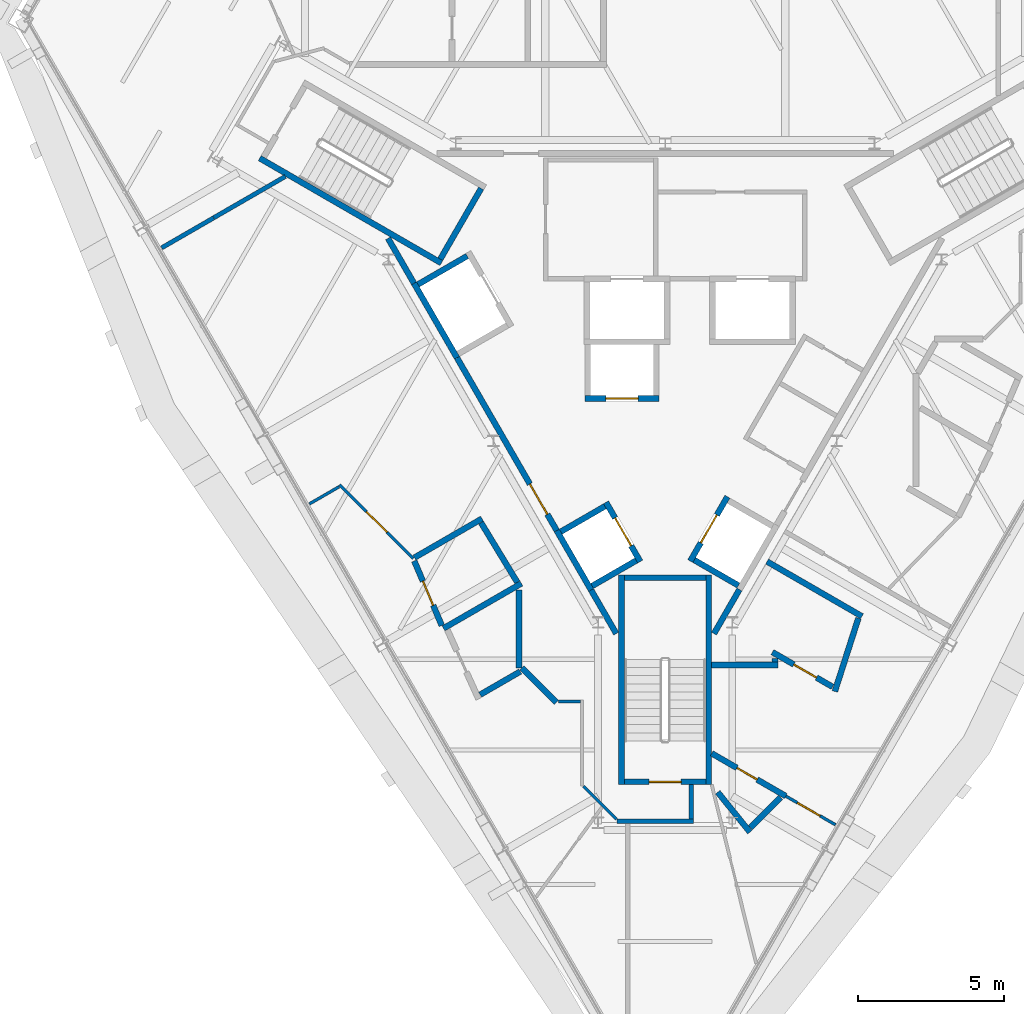
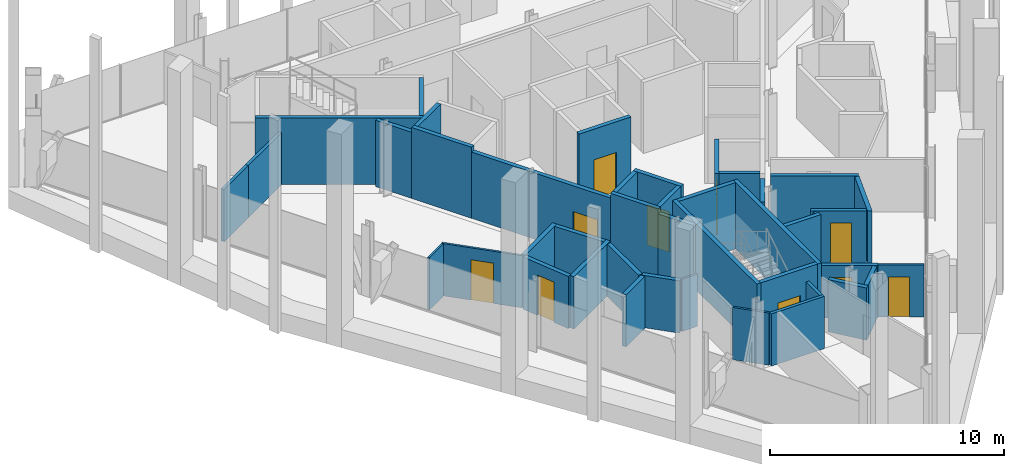
# One storey, part 8 of 12: 43 walls, 10 doors, 10 openings.
"""IFC4 building model written with IfcOpenShell, lengths in metres."""

from ifc_helpers import new_model, si_unit, direction, frame, frame_2d, origin, place, context, subcontext, project, spatial, rectangle, extrude, material, layer, layer_set, type_object, element, fill, save


model = new_model("IFC4")

# Units and contexts
model_context = context("Model", 3, precision=1e-05, world=origin(), true_north=direction((0.0, 1.0)))
body_context = subcontext(model_context, "Body", "Model", "MODEL_VIEW")
ifc_project = project(units=[si_unit("LENGTHUNIT", "METRE"), si_unit("AREAUNIT", "SQUARE_METRE"), si_unit("VOLUMEUNIT", "CUBIC_METRE"), si_unit("PLANEANGLEUNIT", "RADIAN"), si_unit("MASSUNIT", "GRAM", prefix="KILO")], contexts=[model_context])

# Site, building, storey
site_placement = place(None, origin())
site = spatial("IfcSite", under=ifc_project, at=site_placement, CompositionType="ELEMENT")
building_placement = place(site_placement, origin())
building = spatial("IfcBuilding", under=site, at=building_placement, Name="Verrane Prism Tower", CompositionType="ELEMENT")
storey_placement = place(building_placement, frame((0.0, 0.0, 264.0)))
storey = spatial("IfcBuildingStorey", under=building, at=storey_placement, Name="L66", CompositionType="ELEMENT", Elevation=264.0)

# Wall
ifc_material_1 = material(Name="Gypsum board partition", Category="other")
ifc_layer_1 = layer(ifc_material_1, 0.199951171875)
ifc_layer_set_1 = layer_set([ifc_layer_1], Name="CW-200 core boundary wall 2 h")
wall_type_1 = type_object("IfcWallType", Name="CW-200 core boundary wall 2 h", PredefinedType="PARTITIONING", material=ifc_layer_set_1)
wall_1_placement = place(storey_placement, frame((-9.509033203125, 3.550537109375, 0.0), z_axis=(0.0, 0.0, 1.0), x_axis=(0.499999136801, -0.866025902152, 0.0)))
element("IfcWall", 1, at=wall_1_placement, inside=storey, type_object=wall_type_1, Name="Core boundary wall CW3-001", PredefinedType="PARTITIONING", context=body_context, shape_type="SweptSolid", body=[
    extrude(rectangle(XDim=1.7822265625, YDim=0.199951171875, at=frame_2d((0.89111328125, 0.0))), origin(), (0.0, 0.0, 1.0), 3.449951171875),
])

# Wall, opening, door
wall_2_placement = place(storey_placement, frame((-7.14111328125, -0.551025390625, 0.0), z_axis=(0.0, 0.0, 1.0), x_axis=(0.500001302854, -0.86602465158, 0.0)))
wall_2 = element("IfcWall", 2, at=wall_2_placement, inside=storey, type_object=wall_type_1, Name="Core boundary wall CW3-003", PredefinedType="PARTITIONING", context=body_context, shape_type="SweptSolid", body=[
    extrude(rectangle(XDim=6.84619140625, YDim=0.199951171875, at=frame_2d((3.423095703125, 0.0))), origin(), (0.0, 0.0, 1.0), 3.449951171875),
])
opening_1_placement = place(wall_2_placement, frame((5.0, 0.0, 0.0)))
opening_1 = element("IfcOpeningElement", 3, at=opening_1_placement, cuts=wall_2, Name="Opening D66510", PredefinedType="OPENING", context=body_context, shape_type="SweptSolid", body=[
    extrude(rectangle(XDim=1.199951171875, YDim=2.10009765625, at=frame_2d((0.60009765625, 1.050048828125))), frame((0.0, 0.10986328125, 0.0), z_axis=(0.0, -1.0, 0.0), x_axis=(1.0, 0.0, 0.0)), (0.0, 0.0, 1.0), 0.219970703125),
])
ifc_material_2 = material(Name="Timber veneered door leaf", Category="wood")
door_type_1 = type_object("IfcDoorType", Name="DR-1200x2100 FD60 single leaf lift lobby", OperationType="NOTDEFINED", PredefinedType="DOOR", material=ifc_material_2)
door_1_placement = place(opening_1_placement, origin())
door_1 = element("IfcDoor", 4, at=door_1_placement, inside=storey, type_object=door_type_1, Name="Lift lobby door D66510", OperationType="SINGLE_SWING_RIGHT", OverallHeight=2.10009765625, OverallWidth=1.199951171875, PredefinedType="DOOR", context=body_context, shape_type="SweptSolid", body=[
    extrude(rectangle(XDim=1.199951171875, YDim=2.10009765625, at=frame_2d((0.60009765625, 1.050048828125))), frame((0.0, 0.02490234375, 0.0), z_axis=(0.0, -1.0, 0.0), x_axis=(1.0, 0.0, 0.0)), (0.0, 0.0, 1.0), 0.050048828125),
])
fill(opening_1, door_1)

# Walls
wall_3_placement = place(storey_placement, frame((-2.541015625, -8.51904296875, 0.0), z_axis=(0.0, 0.0, 1.0), x_axis=(0.500016142392, -0.86601608377, 0.0)))
element("IfcWall", 5, at=wall_3_placement, inside=storey, type_object=wall_type_1, Name="Core boundary wall CW3-004", PredefinedType="PARTITIONING", context=body_context, shape_type="SweptSolid", body=[
    extrude(rectangle(XDim=1.72705078125, YDim=0.199951171875, at=frame_2d((0.863525390625, 0.0))), origin(), (0.0, 0.0, 1.0), 3.449951171875),
])
wall_4_placement = place(storey_placement, frame((1.677490234375, -10.0146484375, 0.0), z_axis=(0.0, 0.0, 1.0), x_axis=(0.49983532306, 0.866120459187, 0.0)))
element("IfcWall", 6, at=wall_4_placement, inside=storey, type_object=wall_type_1, Name="Core boundary wall CW3-005", PredefinedType="PARTITIONING", context=body_context, shape_type="SweptSolid", body=[
    extrude(rectangle(XDim=1.74755859375, YDim=0.199951171875, at=frame_2d((0.873779296875, 0.0))), origin(), (0.0, 0.0, 1.0), 3.449951171875),
])
ifc_material_3 = material(Name="Concrete C40/50", Category="concrete")
ifc_layer_2 = layer(ifc_material_3, 0.199951171875)
ifc_layer_set_2 = layer_set([ifc_layer_2], Name="CW-200 stair core wall concrete C40/50 3 h")
wall_type_2 = type_object("IfcWallType", Name="CW-200 stair core wall concrete C40/50 3 h", PredefinedType="PARTITIONING", material=ifc_layer_set_2)
wall_5_placement = place(storey_placement, frame((-7.67822265625, 2.700927734375, 0.0), z_axis=(0.0, 0.0, 1.0), x_axis=(-0.866018442252, 0.500012057535, 0.0)))
element("IfcWall", 7, at=wall_5_placement, inside=storey, type_object=wall_type_2, Name="Stair 2 enclosure wall", PredefinedType="PARTITIONING", context=body_context, shape_type="SweptSolid", body=[
    extrude(rectangle(XDim=7.199951171875, YDim=0.199951171875, at=frame_2d((3.60009765625, 0.0))), origin(), (0.0, 0.0, 1.0), 3.449951171875),
])
wall_6_placement = place(storey_placement, frame((-6.314697265625, 5.262451171875, 0.0), z_axis=(0.0, 0.0, 1.0), x_axis=(-0.500049511043, -0.865996816683, 0.0)))
element("IfcWall", 8, at=wall_6_placement, inside=storey, type_object=wall_type_2, Name="Stair 2 enclosure wall", PredefinedType="PARTITIONING", context=body_context, shape_type="SweptSolid", body=[
    extrude(rectangle(XDim=2.800048828125, YDim=0.199951171875, at=frame_2d((1.39990234375, 0.0))), origin(), (0.0, 0.0, 1.0), 3.449951171875),
])

# Wall, opening, door
wall_7_placement = place(storey_placement, frame((-1.39990234375, -15.10009765625, 0.0), z_axis=(0.0, 0.0, 1.0), x_axis=(1.0, 0.0, 0.0)))
wall_7 = element("IfcWall", 9, at=wall_7_placement, inside=storey, type_object=wall_type_2, Name="Stair 3 enclosure wall", PredefinedType="PARTITIONING", context=body_context, shape_type="SweptSolid", body=[
    extrude(rectangle(XDim=2.7998046875, YDim=0.199951171875, at=frame_2d((1.39990234375, 0.0))), origin(), (0.0, 0.0, 1.0), 3.449951171875),
])
opening_2_placement = place(wall_7_placement, frame((0.85009765625, 0.0, 0.0)))
opening_2 = element("IfcOpeningElement", 10, at=opening_2_placement, cuts=wall_7, Name="Opening D66502", PredefinedType="OPENING", context=body_context, shape_type="SweptSolid", body=[
    extrude(rectangle(XDim=1.10009765625, YDim=2.10009765625, at=frame_2d((0.550048828125, 1.050048828125))), frame((0.0, 0.10986328125, 0.0), z_axis=(0.0, -1.0, 0.0), x_axis=(1.0, 0.0, 0.0)), (0.0, 0.0, 1.0), 0.219970703125),
])
ifc_material_4 = material(Name="Timber veneered door leaf", Category="wood")
door_type_2 = type_object("IfcDoorType", Name="DR-1100x2100 FD90 single leaf stair", OperationType="NOTDEFINED", PredefinedType="DOOR", material=ifc_material_4)
door_2_placement = place(opening_2_placement, origin())
door_2 = element("IfcDoor", 11, at=door_2_placement, inside=storey, type_object=door_type_2, Name="Stair 3 door", OperationType="SINGLE_SWING_LEFT", OverallHeight=2.10009765625, OverallWidth=1.10009765625, PredefinedType="DOOR", context=body_context, shape_type="SweptSolid", body=[
    extrude(rectangle(XDim=1.10009765625, YDim=2.10009765625, at=frame_2d((0.550048828125, 1.050048828125))), frame((0.0, 0.02490234375, 0.0), z_axis=(0.0, -1.0, 0.0), x_axis=(1.0, 0.0, 0.0)), (0.0, 0.0, 1.0), 0.050048828125),
])
fill(opening_2, door_2)

# Walls
for number, where, z_axis, x_axis, name in (
    (12, (1.5, -8.0, 0.0), (0.0, 0.0, 1.0), (0.0, -1.0, 0.0), "Stair 3 enclosure wall"),
    (13, (-1.5, -8.0, 0.0), (0.0, 0.0, 1.0), (0.0, -1.0, 0.0), "Stair 3 enclosure wall"),
):
    element("IfcWall", number, at=place(storey_placement, frame(where, z_axis=z_axis, x_axis=x_axis)), inside=storey, type_object=wall_type_2, Name=name, PredefinedType="PARTITIONING", context=body_context, shape_type="SweptSolid", body=[
        extrude(rectangle(XDim=7.199951171875, YDim=0.199951171875, at=frame_2d((3.60009765625, 0.0))), origin(), (0.0, 0.0, 1.0), 3.449951171875),
    ])
wall_8_placement = place(storey_placement, frame((-1.39990234375, -8.10009765625, 0.0), z_axis=(0.0, 0.0, 1.0), x_axis=(1.0, 0.0, 0.0)))
element("IfcWall", 14, at=wall_8_placement, inside=storey, type_object=wall_type_2, Name="Stair 3 enclosure wall", PredefinedType="PARTITIONING", context=body_context, shape_type="SweptSolid", body=[
    extrude(rectangle(XDim=2.7998046875, YDim=0.199951171875, at=frame_2d((1.39990234375, 0.0))), origin(), (0.0, 0.0, 1.0), 3.449951171875),
])

# Wall, opening, door
ifc_material_5 = material(Name="Gypsum board shaft wall assembly", Category="other")
ifc_layer_3 = layer(ifc_material_5, 0.199951171875)
ifc_layer_set_3 = layer_set([ifc_layer_3], Name="HW-200 lift shaft wall 2 h")
wall_type_3 = type_object("IfcWallType", Name="HW-200 lift shaft wall 2 h", PredefinedType="PARTITIONING", material=ifc_layer_set_3)
wall_9_placement = place(storey_placement, frame((-2.7548828125, -1.949951171875, 0.0), z_axis=(0.0, 0.0, 1.0), x_axis=(1.0, 0.0, 0.0)))
wall_9 = element("IfcWall", 15, at=wall_9_placement, inside=storey, type_object=wall_type_3, Name="Lift shaft wall", PredefinedType="PARTITIONING", context=body_context, shape_type="SweptSolid", body=[
    extrude(rectangle(XDim=2.5498046875, YDim=0.199951171875, at=frame_2d((1.27490234375, 0.0))), origin(), (0.0, 0.0, 1.0), 3.699951171875),
])
opening_3_placement = place(wall_9_placement, frame((0.72509765625, 0.0, 0.0)))
opening_3 = element("IfcOpeningElement", 16, at=opening_3_placement, cuts=wall_9, Name="Opening D66504", PredefinedType="OPENING", context=body_context, shape_type="SweptSolid", body=[
    extrude(rectangle(XDim=1.10009765625, YDim=2.10009765625, at=frame_2d((0.550048828125, 1.050048828125))), frame((0.0, 0.10986328125, 0.0), z_axis=(0.0, -1.0, 0.0), x_axis=(1.0, 0.0, 0.0)), (0.0, 0.0, 1.0), 0.219970703125),
])
ifc_material_6 = material(Name="Stainless steel sliding landing door", Category="steel")
door_type_3 = type_object("IfcDoorType", Name="LD-1100x2100 lift landing door FD90 sliding", OperationType="NOTDEFINED", PredefinedType="DOOR", material=ifc_material_6)
door_3_placement = place(opening_3_placement, origin())
door_3 = element("IfcDoor", 17, at=door_3_placement, inside=storey, type_object=door_type_3, Name="Bank C lift 2 landing door", OperationType="SLIDING_TO_RIGHT", OverallHeight=2.10009765625, OverallWidth=1.10009765625, PredefinedType="DOOR", context=body_context, shape_type="SweptSolid", body=[
    extrude(rectangle(XDim=1.10009765625, YDim=2.10009765625, at=frame_2d((0.550048828125, 1.050048828125))), frame((0.0, 0.02490234375, 0.0), z_axis=(0.0, -1.0, 0.0), x_axis=(1.0, 0.0, 0.0)), (0.0, 0.0, 1.0), 0.050048828125),
])
fill(opening_3, door_3)

# Walls
for number, where, z_axis, x_axis, name in (
    (18, (-2.50537109375, -8.38037109375, 0.0), (0.0, 0.0, 1.0), (0.866002029911, 0.500040482552, 0.0), "Lift shaft wall"),
    (19, (-3.580322265625, -6.5185546875, 0.0), (0.0, 0.0, 1.0), (0.866002029911, 0.500040482552, 0.0), "Lift shaft wall"),
):
    element("IfcWall", number, at=place(storey_placement, frame(where, z_axis=z_axis, x_axis=x_axis)), inside=storey, type_object=wall_type_3, Name=name, PredefinedType="PARTITIONING", context=body_context, shape_type="SweptSolid", body=[
        extrude(rectangle(XDim=1.749755859375, YDim=0.199951171875, at=frame_2d((0.875, 0.0))), origin(), (0.0, 0.0, 1.0), 3.699951171875),
    ])
wall_10_placement = place(storey_placement, frame((-8.48046875, 1.968505859375, 0.0), z_axis=(0.0, 0.0, 1.0), x_axis=(0.866000020948, 0.500043961785, 0.0)))
element("IfcWall", 20, at=wall_10_placement, inside=storey, type_object=wall_type_3, Name="Lift shaft wall", PredefinedType="PARTITIONING", context=body_context, shape_type="SweptSolid", body=[
    extrude(rectangle(XDim=1.949951171875, YDim=0.199951171875, at=frame_2d((0.97509765625, 0.0))), origin(), (0.0, 0.0, 1.0), 3.699951171875),
])

# Wall, opening, door
wall_11_placement = place(storey_placement, frame((0.86328125, -7.524658203125, 0.0), z_axis=(0.0, 0.0, 1.0), x_axis=(0.499990435942, 0.866030925526, 0.0)))
wall_11 = element("IfcWall", 21, at=wall_11_placement, inside=storey, type_object=wall_type_3, Name="Lift shaft wall", PredefinedType="PARTITIONING", context=body_context, shape_type="SweptSolid", body=[
    extrude(rectangle(XDim=2.5498046875, YDim=0.199951171875, at=frame_2d((1.27490234375, 0.0))), origin(), (0.0, 0.0, 1.0), 3.699951171875),
])
opening_4_placement = place(wall_11_placement, frame((0.72509765625, 0.0, 0.0)))
opening_4 = element("IfcOpeningElement", 22, at=opening_4_placement, cuts=wall_11, Name="Opening D66505", PredefinedType="OPENING", context=body_context, shape_type="SweptSolid", body=[
    extrude(rectangle(XDim=1.10009765625, YDim=2.10009765625, at=frame_2d((0.550048828125, 1.050048828125))), frame((0.0, 0.10986328125, 0.0), z_axis=(0.0, -1.0, 0.0), x_axis=(1.0, 0.0, 0.0)), (0.0, 0.0, 1.0), 0.219970703125),
])
door_4_placement = place(opening_4_placement, origin())
door_4 = element("IfcDoor", 23, at=door_4_placement, inside=storey, type_object=door_type_3, Name="Bank C lift 3 landing door", OperationType="SLIDING_TO_LEFT", OverallHeight=2.10009765625, OverallWidth=1.10009765625, PredefinedType="DOOR", context=body_context, shape_type="SweptSolid", body=[
    extrude(rectangle(XDim=1.10009765625, YDim=2.10009765625, at=frame_2d((0.550048828125, 1.050048828125))), frame((0.0, 0.02490234375, 0.0), z_axis=(0.0, -1.0, 0.0), x_axis=(1.0, 0.0, 0.0)), (0.0, 0.0, 1.0), 0.050048828125),
])
fill(opening_4, door_4)

wall_12_placement = place(storey_placement, frame((-0.853271484375, -7.5419921875, 0.0), z_axis=(0.0, 0.0, 1.0), x_axis=(-0.500016218704, 0.866016039709, 0.0)))
wall_12 = element("IfcWall", 24, at=wall_12_placement, inside=storey, type_object=wall_type_3, Name="Lift shaft wall", PredefinedType="PARTITIONING", context=body_context, shape_type="SweptSolid", body=[
    extrude(rectangle(XDim=2.35009765625, YDim=0.199951171875, at=frame_2d((1.175048828125, 0.0))), origin(), (0.0, 0.0, 1.0), 3.699951171875),
])
opening_5_placement = place(wall_12_placement, frame((0.625, 0.0, 0.0)))
opening_5 = element("IfcOpeningElement", 25, at=opening_5_placement, cuts=wall_12, Name="Opening D66503", PredefinedType="OPENING", context=body_context, shape_type="SweptSolid", body=[
    extrude(rectangle(XDim=1.10009765625, YDim=2.10009765625, at=frame_2d((0.550048828125, 1.050048828125))), frame((0.0, 0.10986328125, 0.0), z_axis=(0.0, -1.0, 0.0), x_axis=(1.0, 0.0, 0.0)), (0.0, 0.0, 1.0), 0.219970703125),
])
door_5_placement = place(opening_5_placement, origin())
door_5 = element("IfcDoor", 26, at=door_5_placement, inside=storey, type_object=door_type_3, Name="Bank C lift 1 landing door", OperationType="SLIDING_TO_LEFT", OverallHeight=2.10009765625, OverallWidth=1.10009765625, PredefinedType="DOOR", context=body_context, shape_type="SweptSolid", body=[
    extrude(rectangle(XDim=1.10009765625, YDim=2.10009765625, at=frame_2d((0.550048828125, 1.050048828125))), frame((0.0, 0.02490234375, 0.0), z_axis=(0.0, -1.0, 0.0), x_axis=(1.0, 0.0, 0.0)), (0.0, 0.0, 1.0), 0.050048828125),
])
fill(opening_5, door_5)

# Walls
wall_13_placement = place(storey_placement, frame((-2.5419921875, -8.51708984375, 0.0), z_axis=(0.0, 0.0, 1.0), x_axis=(-0.500016218704, 0.866016039709, 0.0)))
element("IfcWall", 27, at=wall_13_placement, inside=storey, type_object=wall_type_3, Name="Lift shaft wall", PredefinedType="PARTITIONING", context=body_context, shape_type="SweptSolid", body=[
    extrude(rectangle(XDim=2.35009765625, YDim=0.199951171875, at=frame_2d((1.175048828125, 0.0))), origin(), (0.0, 0.0, 1.0), 3.699951171875),
])
wall_14_placement = place(storey_placement, frame((-7.14208984375, -0.549560546875, 0.0), z_axis=(0.0, 0.0, 1.0), x_axis=(-0.49997559174, 0.866039495442, 0.0)))
element("IfcWall", 28, at=wall_14_placement, inside=storey, type_object=wall_type_3, Name="Lift shaft wall", PredefinedType="PARTITIONING", context=body_context, shape_type="SweptSolid", body=[
    extrude(rectangle(XDim=2.949951171875, YDim=0.199951171875, at=frame_2d((1.47509765625, 0.0))), origin(), (0.0, 0.0, 1.0), 3.699951171875),
])
wall_15_placement = place(storey_placement, frame((2.515380859375, -8.36328125, 0.0), z_axis=(0.0, 0.0, 1.0), x_axis=(-0.866036909293, 0.499980071345, 0.0)))
element("IfcWall", 29, at=wall_15_placement, inside=storey, type_object=wall_type_3, Name="Lift shaft wall", PredefinedType="PARTITIONING", context=body_context, shape_type="SweptSolid", body=[
    extrude(rectangle(XDim=1.75, YDim=0.199951171875, at=frame_2d((0.875, 0.0))), origin(), (0.0, 0.0, 1.0), 3.699951171875),
])
ifc_material_7 = material(Name="Gypsum board partition", Category="other")
ifc_layer_4 = layer(ifc_material_7, 0.10009765625)
ifc_layer_set_4 = layer_set([ifc_layer_4], Name="PW-100 room partition")
wall_type_4 = type_object("IfcWallType", Name="PW-100 room partition", PredefinedType="PARTITIONING", material=ifc_layer_set_4)
wall_16_placement = place(storey_placement, frame((-12.205078125, -5.562255859375, 0.0), z_axis=(0.0, 0.0, 1.0), x_axis=(0.865895054285, 0.500225704022, 0.0)))
element("IfcWall", 30, at=wall_16_placement, inside=storey, type_object=wall_type_4, Name="Room partition 007", PredefinedType="PARTITIONING", context=body_context, shape_type="SweptSolid", body=[
    extrude(rectangle(XDim=1.17578125, YDim=0.10009765625, at=frame_2d((0.587890625, 0.0))), origin(), (0.0, 0.0, 1.0), 2.722900390625),
])

# Wall, opening, door
wall_17_placement = place(storey_placement, frame((-8.64599609375, -7.43310546875, 0.0), z_axis=(0.0, 0.0, 1.0), x_axis=(-0.707106781187, 0.707106781187, 0.0)))
wall_17 = element("IfcWall", 31, at=wall_17_placement, inside=storey, type_object=wall_type_4, Name="Room partition 009", PredefinedType="PARTITIONING", context=body_context, shape_type="SweptSolid", body=[
    extrude(rectangle(XDim=3.570068359375, YDim=0.10009765625, at=frame_2d((1.78515625, 0.0))), origin(), (0.0, 0.0, 1.0), 2.722900390625),
])
opening_6_placement = place(wall_17_placement, frame((1.27001953125, 0.0, 0.0)))
opening_6 = element("IfcOpeningElement", 32, at=opening_6_placement, cuts=wall_17, Name="Opening D66014", PredefinedType="OPENING", context=body_context, shape_type="SweptSolid", body=[
    extrude(rectangle(XDim=1.0, YDim=2.10009765625, at=frame_2d((0.5, 1.050048828125))), frame((0.0, 0.06005859375, 0.0), z_axis=(0.0, -1.0, 0.0), x_axis=(1.0, 0.0, 0.0)), (0.0, 0.0, 1.0), 0.1201171875),
])
ifc_material_8 = material(Name="Timber veneered door leaf", Category="wood")
door_type_4 = type_object("IfcDoorType", Name="DR-1000x2100 single leaf inner", OperationType="NOTDEFINED", PredefinedType="DOOR", material=ifc_material_8)
door_6_placement = place(opening_6_placement, origin())
door_6 = element("IfcDoor", 33, at=door_6_placement, inside=storey, type_object=door_type_4, Name="Entrance Foyer door", OperationType="SINGLE_SWING_LEFT", OverallHeight=2.10009765625, OverallWidth=1.0, PredefinedType="DOOR", context=body_context, shape_type="SweptSolid", body=[
    extrude(rectangle(XDim=1.0, YDim=2.10009765625, at=frame_2d((0.5, 1.050048828125))), frame((0.0, 0.02490234375, 0.0), z_axis=(0.0, -1.0, 0.0), x_axis=(1.0, 0.0, 0.0)), (0.0, 0.0, 1.0), 0.050048828125),
])
fill(opening_6, door_6)

# Walls
wall_18_placement = place(storey_placement, frame((-3.6640625, -12.339111328125, 0.0), z_axis=(0.0, 0.0, 1.0), x_axis=(1.0, 0.0, 0.0)))
element("IfcWall", 34, at=wall_18_placement, inside=storey, type_object=wall_type_4, Name="Room partition 024", PredefinedType="PARTITIONING", context=body_context, shape_type="SweptSolid", body=[
    extrude(rectangle(XDim=0.76416015625, YDim=0.10009765625, at=frame_2d((0.382080078125, 0.0))), origin(), (0.0, 0.0, 1.0), 2.722900390625),
])
wall_19_placement = place(storey_placement, frame((-2.800537109375, -15.24951171875, 0.0), z_axis=(0.0, 0.0, 1.0), x_axis=(0.707106781187, -0.707106781187, 0.0)))
element("IfcWall", 35, at=wall_19_placement, inside=storey, type_object=wall_type_4, Name="Room partition 026", PredefinedType="PARTITIONING", context=body_context, shape_type="SweptSolid", body=[
    extrude(rectangle(XDim=1.60791015625, YDim=0.10009765625, at=frame_2d((0.803955078125, 0.0))), origin(), (0.0, 0.0, 1.0), 2.722900390625),
])

# Wall, opening, door
wall_20_placement = place(storey_placement, frame((5.846923828125, -16.574951171875, 0.0), z_axis=(0.0, 0.0, 1.0), x_axis=(-0.866156637233, 0.499772628079, 0.0)))
wall_20 = element("IfcWall", 36, at=wall_20_placement, inside=storey, type_object=wall_type_4, Name="Room partition 041", PredefinedType="PARTITIONING", context=body_context, shape_type="SweptSolid", body=[
    extrude(rectangle(XDim=1.9658203125, YDim=0.10009765625, at=frame_2d((0.98291015625, 0.0))), origin(), (0.0, 0.0, 1.0), 2.722900390625),
])
opening_7_placement = place(wall_20_placement, frame((0.61083984375, 0.0, 0.0)))
opening_7 = element("IfcOpeningElement", 37, at=opening_7_placement, cuts=wall_20, Name="Opening D66001", PredefinedType="OPENING", context=body_context, shape_type="SweptSolid", body=[
    extrude(rectangle(XDim=0.89990234375, YDim=2.10009765625, at=frame_2d((0.449951171875, 1.050048828125))), frame((0.0, 0.06005859375, 0.0), z_axis=(0.0, -1.0, 0.0), x_axis=(1.0, 0.0, 0.0)), (0.0, 0.0, 1.0), 0.1201171875),
])
ifc_material_9 = material(Name="Timber veneered door leaf", Category="wood")
door_type_5 = type_object("IfcDoorType", Name="DR-900x2100 single leaf inner", OperationType="NOTDEFINED", PredefinedType="DOOR", material=ifc_material_9)
door_7_placement = place(opening_7_placement, origin())
door_7 = element("IfcDoor", 38, at=door_7_placement, inside=storey, type_object=door_type_5, Name="Living And Dining Room door", OperationType="SINGLE_SWING_RIGHT", OverallHeight=2.10009765625, OverallWidth=0.89990234375, PredefinedType="DOOR", context=body_context, shape_type="SweptSolid", body=[
    extrude(rectangle(XDim=0.89990234375, YDim=2.10009765625, at=frame_2d((0.449951171875, 1.050048828125))), frame((0.0, 0.02490234375, 0.0), z_axis=(0.0, -1.0, 0.0), x_axis=(1.0, 0.0, 0.0)), (0.0, 0.0, 1.0), 0.050048828125),
])
fill(opening_7, door_7)

# Walls
ifc_material_10 = material(Name="Gypsum board partition", Category="other")
ifc_layer_5 = layer(ifc_material_10, 0.14990234375)
ifc_layer_set_5 = layer_set([ifc_layer_5], Name="PW-150 demising wall 1 h")
wall_type_5 = type_object("IfcWallType", Name="PW-150 demising wall 1 h", PredefinedType="PARTITIONING", material=ifc_layer_set_5)
wall_21_placement = place(storey_placement, frame((-17.277587890625, 3.22412109375, 0.0), z_axis=(0.0, 0.0, 1.0), x_axis=(0.8661500768, 0.499783997803, 0.0)))
element("IfcWall", 39, at=wall_21_placement, inside=storey, type_object=wall_type_5, Name="Demising wall 001", PredefinedType="PARTITIONING", context=body_context, shape_type="SweptSolid", body=[
    extrude(rectangle(XDim=2.060546875, YDim=0.14990234375, at=frame_2d((1.0302734375, 0.0))), origin(), (0.0, 0.0, 1.0), 2.722900390625),
])
wall_22_placement = place(storey_placement, frame((-15.489013671875, 4.257080078125, 0.0), z_axis=(0.0, 0.0, 1.0), x_axis=(0.866053804324, 0.499950805595, 0.0)))
element("IfcWall", 40, at=wall_22_placement, inside=storey, type_object=wall_type_5, Name="Demising wall 002", PredefinedType="PARTITIONING", context=body_context, shape_type="SweptSolid", body=[
    extrude(rectangle(XDim=2.838134765625, YDim=0.14990234375, at=frame_2d((1.4189453125, 0.0))), origin(), (0.0, 0.0, 1.0), 2.722900390625),
])
wall_23_placement = place(storey_placement, frame((-1.64990234375, -16.449951171875, 0.0), z_axis=(0.0, 0.0, 1.0), x_axis=(1.0, 0.0, 0.0)))
element("IfcWall", 41, at=wall_23_placement, inside=storey, type_object=wall_type_5, Name="Demising wall 029", PredefinedType="PARTITIONING", context=body_context, shape_type="SweptSolid", body=[
    extrude(rectangle(XDim=2.625, YDim=0.14990234375, at=frame_2d((1.3125, 0.0))), origin(), (0.0, 0.0, 1.0), 2.722900390625),
])
wall_24_placement = place(storey_placement, frame((0.89990234375, -16.375, 0.0), z_axis=(0.0, 0.0, 1.0), x_axis=(0.0, 1.0, 0.0)))
element("IfcWall", 42, at=wall_24_placement, inside=storey, type_object=wall_type_5, Name="Demising wall 031", PredefinedType="PARTITIONING", context=body_context, shape_type="SweptSolid", body=[
    extrude(rectangle(XDim=1.175048828125, YDim=0.14990234375, at=frame_2d((0.58740234375, 0.0))), origin(), (0.0, 0.0, 1.0), 2.722900390625),
])

# Wall, opening, door
ifc_material_11 = material(Name="Gypsum board partition", Category="other")
ifc_layer_6 = layer(ifc_material_11, 0.199951171875)
ifc_layer_set_6 = layer_set([ifc_layer_6], Name="PW-200 plumbing wall")
wall_type_6 = type_object("IfcWallType", Name="PW-200 plumbing wall", PredefinedType="PARTITIONING", material=ifc_layer_set_6)
wall_25_placement = place(storey_placement, frame((-8.608642578125, -7.5205078125, 0.0), z_axis=(0.0, 0.0, 1.0), x_axis=(0.391998641344, -0.91996579566, 0.0)))
wall_25 = element("IfcWall", 43, at=wall_25_placement, inside=storey, type_object=wall_type_6, Name="Plumbing wall 011", PredefinedType="PARTITIONING", context=body_context, shape_type="SweptSolid", body=[
    extrude(rectangle(XDim=2.40966796875, YDim=0.199951171875, at=frame_2d((1.204833984375, 0.0))), origin(), (0.0, 0.0, 1.0), 2.722900390625),
])
opening_8_placement = place(wall_25_placement, frame((0.7548828125, 0.0, 0.0)))
opening_8 = element("IfcOpeningElement", 44, at=opening_8_placement, cuts=wall_25, Name="Opening D66015", PredefinedType="OPENING", context=body_context, shape_type="SweptSolid", body=[
    extrude(rectangle(XDim=0.89990234375, YDim=2.10009765625, at=frame_2d((0.449951171875, 1.050048828125))), frame((0.0, 0.10986328125, 0.0), z_axis=(0.0, -1.0, 0.0), x_axis=(1.0, 0.0, 0.0)), (0.0, 0.0, 1.0), 0.219970703125),
])
door_8_placement = place(opening_8_placement, origin())
door_8 = element("IfcDoor", 45, at=door_8_placement, inside=storey, type_object=door_type_5, Name="Kitchen door", OperationType="SINGLE_SWING_LEFT", OverallHeight=2.10009765625, OverallWidth=0.89990234375, PredefinedType="DOOR", context=body_context, shape_type="SweptSolid", body=[
    extrude(rectangle(XDim=0.89990234375, YDim=2.10009765625, at=frame_2d((0.449951171875, 1.050048828125))), frame((0.0, 0.02490234375, 0.0), z_axis=(0.0, -1.0, 0.0), x_axis=(1.0, 0.0, 0.0)), (0.0, 0.0, 1.0), 0.050048828125),
])
fill(opening_8, door_8)

# Walls
wall_26_placement = place(storey_placement, frame((-8.602783203125, -7.407958984375, 0.0), z_axis=(0.0, 0.0, 1.0), x_axis=(0.865966883336, 0.500101346695, 0.0)))
element("IfcWall", 46, at=wall_26_placement, inside=storey, type_object=wall_type_6, Name="Plumbing wall 012", PredefinedType="PARTITIONING", context=body_context, shape_type="SweptSolid", body=[
    extrude(rectangle(XDim=2.67724609375, YDim=0.199951171875, at=frame_2d((1.338623046875, 0.0))), origin(), (0.0, 0.0, 1.0), 2.722900390625),
])
wall_27_placement = place(storey_placement, frame((-7.605712890625, -9.8349609375, 0.0), z_axis=(0.0, 0.0, 1.0), x_axis=(0.866093395895, 0.499882215713, 0.0)))
element("IfcWall", 47, at=wall_27_placement, inside=storey, type_object=wall_type_6, Name="Plumbing wall 014", PredefinedType="PARTITIONING", context=body_context, shape_type="SweptSolid", body=[
    extrude(rectangle(XDim=3.086669921875, YDim=0.199951171875, at=frame_2d((1.54345703125, 0.0))), origin(), (0.0, 0.0, 1.0), 2.722900390625),
])
wall_28_placement = place(storey_placement, frame((-6.34765625, -12.111083984375, 0.0), z_axis=(0.0, 0.0, 1.0), x_axis=(0.866004001318, 0.500037068326, 0.0)))
element("IfcWall", 48, at=wall_28_placement, inside=storey, type_object=wall_type_6, Name="Plumbing wall 017", PredefinedType="PARTITIONING", context=body_context, shape_type="SweptSolid", body=[
    extrude(rectangle(XDim=1.58984375, YDim=0.199951171875, at=frame_2d((0.794921875, 0.0))), origin(), (0.0, 0.0, 1.0), 2.722900390625),
])
wall_29_placement = place(storey_placement, frame((-6.31640625, -6.208740234375, 0.0), z_axis=(0.0, 0.0, 1.0), x_axis=(0.519665190876, -0.854369995606, 0.0)))
element("IfcWall", 49, at=wall_29_placement, inside=storey, type_object=wall_type_6, Name="Plumbing wall 018", PredefinedType="PARTITIONING", context=body_context, shape_type="SweptSolid", body=[
    extrude(rectangle(XDim=2.391845703125, YDim=0.199951171875, at=frame_2d((1.19580078125, 0.0))), origin(), (0.0, 0.0, 1.0), 2.722900390625),
])
wall_30_placement = place(storey_placement, frame((-5.01904296875, -11.18896484375, 0.0), z_axis=(0.0, 0.0, 1.0), x_axis=(0.0, 1.0, 0.0)))
element("IfcWall", 50, at=wall_30_placement, inside=storey, type_object=wall_type_6, Name="Plumbing wall 019", PredefinedType="PARTITIONING", context=body_context, shape_type="SweptSolid", body=[
    extrude(rectangle(XDim=2.677001953125, YDim=0.199951171875, at=frame_2d((1.33837890625, 0.0))), origin(), (0.0, 0.0, 1.0), 2.722900390625),
])
wall_31_placement = place(storey_placement, frame((-4.919921875, -11.18798828125, 0.0), z_axis=(0.0, 0.0, 1.0), x_axis=(0.707106781187, -0.707106781187, 0.0)))
element("IfcWall", 51, at=wall_31_placement, inside=storey, type_object=wall_type_6, Name="Plumbing wall 020", PredefinedType="PARTITIONING", context=body_context, shape_type="SweptSolid", body=[
    extrude(rectangle(XDim=1.677734375, YDim=0.199951171875, at=frame_2d((0.8388671875, 0.0))), origin(), (0.0, 0.0, 1.0), 2.722900390625),
])
wall_32_placement = place(storey_placement, frame((1.806884765625, -15.45703125, 0.0), z_axis=(0.0, 0.0, 1.0), x_axis=(0.62721044395, -0.778849830841, 0.0)))
element("IfcWall", 52, at=wall_32_placement, inside=storey, type_object=wall_type_6, Name="Plumbing wall 033", PredefinedType="PARTITIONING", context=body_context, shape_type="SweptSolid", body=[
    extrude(rectangle(XDim=1.76123046875, YDim=0.199951171875, at=frame_2d((0.880615234375, 0.0))), origin(), (0.0, 0.0, 1.0), 2.722900390625),
])

# Wall, opening, door
wall_33_placement = place(storey_placement, frame((4.1435546875, -15.593017578125, 0.0), z_axis=(0.0, 0.0, 1.0), x_axis=(-0.865947474014, 0.500134954036, 0.0)))
wall_33 = element("IfcWall", 53, at=wall_33_placement, inside=storey, type_object=wall_type_6, Name="Plumbing wall 035", PredefinedType="PARTITIONING", context=body_context, shape_type="SweptSolid", body=[
    extrude(rectangle(XDim=2.937255859375, YDim=0.199951171875, at=frame_2d((1.46875, 0.0))), origin(), (0.0, 0.0, 1.0), 2.722900390625),
])
opening_9_placement = place(wall_33_placement, frame((1.13720703125, 0.0, 0.0)))
opening_9 = element("IfcOpeningElement", 54, at=opening_9_placement, cuts=wall_33, Name="Opening D66005", PredefinedType="OPENING", context=body_context, shape_type="SweptSolid", body=[
    extrude(rectangle(XDim=0.800048828125, YDim=2.10009765625, at=frame_2d((0.39990234375, 1.050048828125))), frame((0.0, 0.10986328125, 0.0), z_axis=(0.0, -1.0, 0.0), x_axis=(1.0, 0.0, 0.0)), (0.0, 0.0, 1.0), 0.219970703125),
])
ifc_material_12 = material(Name="Timber veneered door leaf", Category="wood")
door_type_6 = type_object("IfcDoorType", Name="DR-800x2100 single leaf inner", OperationType="NOTDEFINED", PredefinedType="DOOR", material=ifc_material_12)
door_9_placement = place(opening_9_placement, origin())
door_9 = element("IfcDoor", 55, at=door_9_placement, inside=storey, type_object=door_type_6, Name="Bathroom door", OperationType="SINGLE_SWING_RIGHT", OverallHeight=2.10009765625, OverallWidth=0.800048828125, PredefinedType="DOOR", context=body_context, shape_type="SweptSolid", body=[
    extrude(rectangle(XDim=0.800048828125, YDim=2.10009765625, at=frame_2d((0.39990234375, 1.050048828125))), frame((0.0, 0.02490234375, 0.0), z_axis=(0.0, -1.0, 0.0), x_axis=(1.0, 0.0, 0.0)), (0.0, 0.0, 1.0), 0.050048828125),
])
fill(opening_9, door_9)

# Walls
wall_34_placement = place(storey_placement, frame((1.60009765625, -11.089111328125, 0.0), z_axis=(0.0, 0.0, 1.0), x_axis=(1.0, 0.0, 0.0)))
element("IfcWall", 56, at=wall_34_placement, inside=storey, type_object=wall_type_6, Name="Plumbing wall 036", PredefinedType="PARTITIONING", context=body_context, shape_type="SweptSolid", body=[
    extrude(rectangle(XDim=2.268798828125, YDim=0.199951171875, at=frame_2d((1.13427734375, 0.0))), origin(), (0.0, 0.0, 1.0), 2.722900390625),
])
wall_35_placement = place(storey_placement, frame((2.9267578125, -16.67333984375, 0.0), z_axis=(0.0, 0.0, 1.0), x_axis=(0.707106781187, 0.707106781187, 0.0)))
element("IfcWall", 57, at=wall_35_placement, inside=storey, type_object=wall_type_6, Name="Plumbing wall 037", PredefinedType="PARTITIONING", context=body_context, shape_type="SweptSolid", body=[
    extrude(rectangle(XDim=1.468505859375, YDim=0.199951171875, at=frame_2d((0.734375, 0.0))), origin(), (0.0, 0.0, 1.0), 2.722900390625),
])
wall_36_placement = place(storey_placement, frame((3.498046875, -7.541015625, 0.0), z_axis=(0.0, 0.0, 1.0), x_axis=(0.865985624761, -0.500068892961, 0.0)))
element("IfcWall", 58, at=wall_36_placement, inside=storey, type_object=wall_type_6, Name="Plumbing wall 038", PredefinedType="PARTITIONING", context=body_context, shape_type="SweptSolid", body=[
    extrude(rectangle(XDim=3.76171875, YDim=0.199951171875, at=frame_2d((1.880859375, 0.0))), origin(), (0.0, 0.0, 1.0), 2.722900390625),
])
wall_37_placement = place(storey_placement, frame((3.76904296875, -10.989013671875, 0.0), z_axis=(0.0, 0.0, 1.0), x_axis=(0.0, 1.0, 0.0)))
element("IfcWall", 59, at=wall_37_placement, inside=storey, type_object=wall_type_6, Name="Plumbing wall 039", PredefinedType="PARTITIONING", context=body_context, shape_type="SweptSolid", body=[
    extrude(rectangle(XDim=0.118896484375, YDim=0.199951171875, at=frame_2d((0.0595703125, 0.0))), origin(), (0.0, 0.0, 1.0), 2.722900390625),
])

# Wall, opening, door
wall_38_placement = place(storey_placement, frame((3.682373046875, -10.64990234375, 0.0), z_axis=(0.0, 0.0, 1.0), x_axis=(0.86607302589, -0.499917507021, 0.0)))
wall_38 = element("IfcWall", 60, at=wall_38_placement, inside=storey, type_object=wall_type_6, Name="Plumbing wall 040", PredefinedType="PARTITIONING", context=body_context, shape_type="SweptSolid", body=[
    extrude(rectangle(XDim=2.3837890625, YDim=0.199951171875, at=frame_2d((1.19189453125, 0.0))), origin(), (0.0, 0.0, 1.0), 2.722900390625),
])
opening_10_placement = place(wall_38_placement, frame((0.85009765625, 0.0, 0.0)))
opening_10 = element("IfcOpeningElement", 61, at=opening_10_placement, cuts=wall_38, Name="Opening D66003", PredefinedType="OPENING", context=body_context, shape_type="SweptSolid", body=[
    extrude(rectangle(XDim=0.89990234375, YDim=2.10009765625, at=frame_2d((0.449951171875, 1.050048828125))), frame((0.0, 0.10986328125, 0.0), z_axis=(0.0, -1.0, 0.0), x_axis=(1.0, 0.0, 0.0)), (0.0, 0.0, 1.0), 0.219970703125),
])
door_10_placement = place(opening_10_placement, origin())
door_10 = element("IfcDoor", 62, at=door_10_placement, inside=storey, type_object=door_type_5, Name="Kitchen door", OperationType="SINGLE_SWING_LEFT", OverallHeight=2.10009765625, OverallWidth=0.89990234375, PredefinedType="DOOR", context=body_context, shape_type="SweptSolid", body=[
    extrude(rectangle(XDim=0.89990234375, YDim=2.10009765625, at=frame_2d((0.449951171875, 1.050048828125))), frame((0.0, 0.02490234375, 0.0), z_axis=(0.0, -1.0, 0.0), x_axis=(1.0, 0.0, 0.0)), (0.0, 0.0, 1.0), 0.050048828125),
])
fill(opening_10, door_10)

# Wall
wall_39_placement = place(storey_placement, frame((5.824462890625, -11.999267578125, 0.0), z_axis=(0.0, 0.0, 1.0), x_axis=(0.306054089199, 0.95201412515, 0.0)))
element("IfcWall", 63, at=wall_39_placement, inside=storey, type_object=wall_type_6, Name="Plumbing wall 043", PredefinedType="PARTITIONING", context=body_context, shape_type="SweptSolid", body=[
    extrude(rectangle(XDim=2.6396484375, YDim=0.199951171875, at=frame_2d((1.31982421875, 0.0))), origin(), (0.0, 0.0, 1.0), 2.722900390625),
])

save(model, "model.ifc")
